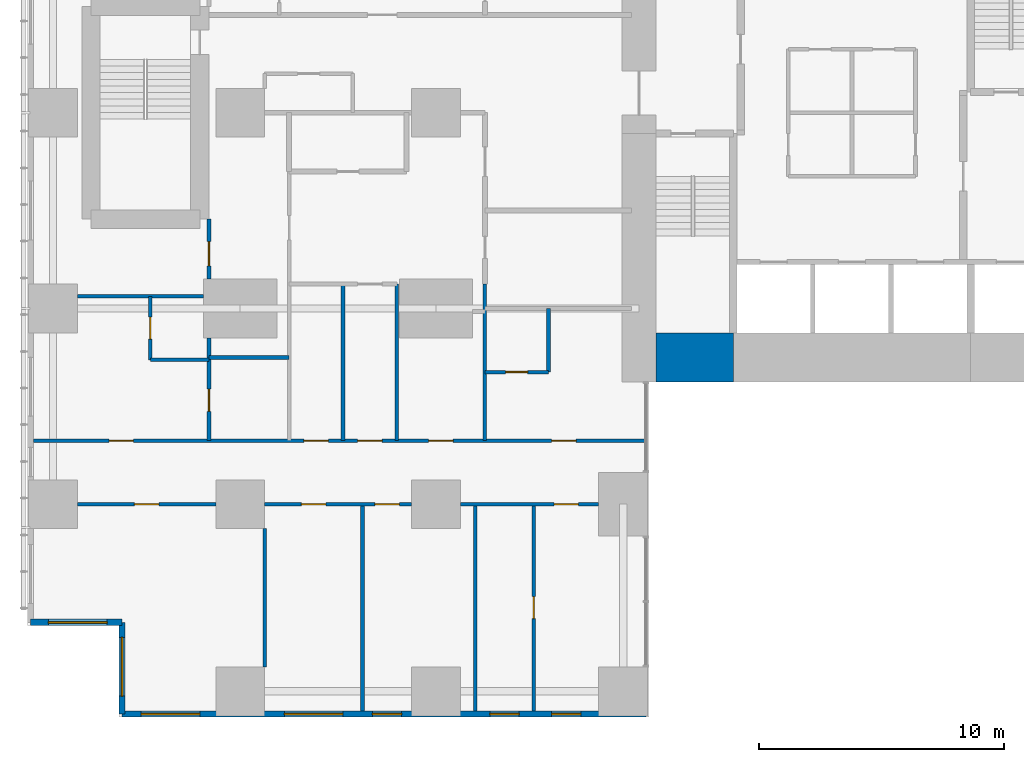
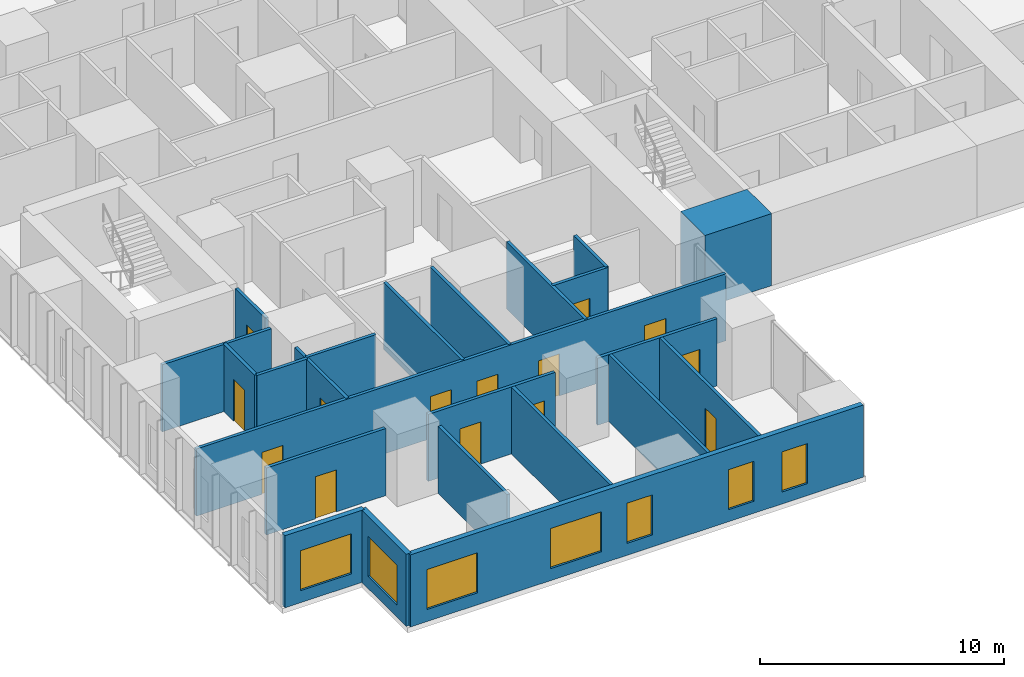
# One storey, part 12 of 20: 23 walls, 14 doors, 7 windows, 21 openings.
"""IFC4 building model written with IfcOpenShell, lengths in metres."""

from ifc_helpers import new_model, si_unit, direction, frame, frame_2d, origin, place, context, subcontext, project, spatial, rectangle, extrude, material, layer, layer_set, type_object, element, fill, save


model = new_model("IFC4")

# Units and contexts
model_context = context("Model", 3, precision=1e-05, world=origin(), true_north=direction((0.0, 1.0)))
body_context = subcontext(model_context, "Body", "Model", "MODEL_VIEW")
ifc_project = project(units=[si_unit("LENGTHUNIT", "METRE"), si_unit("AREAUNIT", "SQUARE_METRE"), si_unit("VOLUMEUNIT", "CUBIC_METRE"), si_unit("PLANEANGLEUNIT", "RADIAN"), si_unit("MASSUNIT", "GRAM", prefix="KILO")], contexts=[model_context])

# Site, building, storey
site_placement = place(None, origin())
site = spatial("IfcSite", under=ifc_project, at=site_placement, CompositionType="ELEMENT")
building_placement = place(site_placement, origin())
building = spatial("IfcBuilding", under=site, at=building_placement, Name="Cleftline Residences", CompositionType="ELEMENT")
storey_placement = place(building_placement, frame((0.0, 0.0, 51.199951171875)))
storey = spatial("IfcBuildingStorey", under=building, at=storey_placement, Name="L12", CompositionType="ELEMENT", Elevation=51.199951171875)

# Wall
ifc_material_1 = material(Name="Concrete B70", Category="concrete")
ifc_layer_1 = layer(ifc_material_1, 2.0)
ifc_layer_set_1 = layer_set([ifc_layer_1], Name="CORE WALL 2000")
wall_type_1 = type_object("IfcWallType", Name="CORE WALL 2000", PredefinedType="SHEAR", material=ifc_layer_set_1)
wall_1_placement = place(storey_placement, frame((25.0, 14.0, 0.0), z_axis=(0.0, 0.0, 1.0), x_axis=(1.0, 0.0, 0.0)))
element("IfcWall", 1, at=wall_1_placement, inside=storey, type_object=wall_type_1, Name="Core wall S1", PredefinedType="SHEAR", context=body_context, shape_type="SweptSolid", body=[
    extrude(rectangle(XDim=3.14990234375, YDim=2.0, at=frame_2d((1.574951171875, 0.0))), origin(), (0.0, 0.0, 1.0), 3.60009765625),
])

# Wall, opening, window
ifc_material_2 = material(Name="Rendered reinforced concrete blockwork", Category="masonry")
ifc_layer_2 = layer(ifc_material_2, 0.25)
ifc_layer_set_2 = layer_set([ifc_layer_2], Name="EXTERNAL WALL 250")
wall_type_2 = type_object("IfcWallType", Name="EXTERNAL WALL 250", PredefinedType="SOLIDWALL", material=ifc_layer_set_2)
wall_2_placement = place(storey_placement, frame((-0.574951171875, 3.175048828125, 0.0), z_axis=(0.0, 0.0, 1.0), x_axis=(1.0, 0.0, 0.0)))
wall_2 = element("IfcWall", 2, at=wall_2_placement, inside=storey, type_object=wall_type_2, Name="External wall", PredefinedType="SOLIDWALL", context=body_context, shape_type="SweptSolid", body=[
    extrude(rectangle(XDim=3.75, YDim=0.25, at=frame_2d((1.875, 0.0))), origin(), (0.0, 0.0, 1.0), 3.60009765625),
])
opening_1_placement = place(wall_2_placement, frame((0.737548828125, 0.0, 0.60009765625)))
opening_1 = element("IfcOpeningElement", 3, at=opening_1_placement, cuts=wall_2, Name="Opening W6", PredefinedType="OPENING", context=body_context, shape_type="SweptSolid", body=[
    extrude(rectangle(XDim=2.39990234375, YDim=2.0, at=frame_2d((1.199951171875, 1.0))), frame((0.0, 0.135009765625, 0.0), z_axis=(0.0, -1.0, 0.0), x_axis=(1.0, 0.0, 0.0)), (0.0, 0.0, 1.0), 0.27001953125),
])
ifc_material_3 = material(Name="Aluminium frame, clear double glazing", Category="aluminium")
window_type_1 = type_object("IfcWindowType", Name="WINDOW 2400X2000", PartitioningType="DOUBLE_PANEL_VERTICAL", PredefinedType="WINDOW", material=ifc_material_3)
window_1_placement = place(opening_1_placement, origin())
window_1 = element("IfcWindow", 4, at=window_1_placement, inside=storey, type_object=window_type_1, Name="Window", OverallHeight=2.0, OverallWidth=2.39990234375, PartitioningType="SINGLE_PANEL", PredefinedType="WINDOW", context=body_context, shape_type="SweptSolid", body=[
    extrude(rectangle(XDim=2.39990234375, YDim=2.0, at=frame_2d((1.199951171875, 1.0))), frame((0.0, 0.030029296875, 0.0), z_axis=(0.0, -1.0, 0.0), x_axis=(1.0, 0.0, 0.0)), (0.0, 0.0, 1.0), 0.06005859375),
])
fill(opening_1, window_1)

wall_3_placement = place(storey_placement, frame((3.175048828125, 3.175048828125, 0.0), z_axis=(0.0, 0.0, 1.0), x_axis=(0.0, -1.0, 0.0)))
wall_3 = element("IfcWall", 5, at=wall_3_placement, inside=storey, type_object=wall_type_2, Name="External wall", PredefinedType="SOLIDWALL", context=body_context, shape_type="SweptSolid", body=[
    extrude(rectangle(XDim=3.75, YDim=0.25, at=frame_2d((1.875, 0.0))), origin(), (0.0, 0.0, 1.0), 3.60009765625),
])
opening_2_placement = place(wall_3_placement, frame((0.612548828125, 0.0, 0.60009765625)))
opening_2 = element("IfcOpeningElement", 6, at=opening_2_placement, cuts=wall_3, Name="Opening W6", PredefinedType="OPENING", context=body_context, shape_type="SweptSolid", body=[
    extrude(rectangle(XDim=2.39990234375, YDim=2.0, at=frame_2d((1.199951171875, 1.0))), frame((0.0, 0.135009765625, 0.0), z_axis=(0.0, -1.0, 0.0), x_axis=(1.0, 0.0, 0.0)), (0.0, 0.0, 1.0), 0.27001953125),
])
window_2_placement = place(opening_2_placement, origin())
window_2 = element("IfcWindow", 7, at=window_2_placement, inside=storey, type_object=window_type_1, Name="Window", OverallHeight=2.0, OverallWidth=2.39990234375, PartitioningType="SINGLE_PANEL", PredefinedType="WINDOW", context=body_context, shape_type="SweptSolid", body=[
    extrude(rectangle(XDim=2.39990234375, YDim=2.0, at=frame_2d((1.199951171875, 1.0))), frame((0.0, 0.030029296875, 0.0), z_axis=(0.0, -1.0, 0.0), x_axis=(1.0, 0.0, 0.0)), (0.0, 0.0, 1.0), 0.06005859375),
])
fill(opening_2, window_2)

# Wall, openings, windows
wall_4_placement = place(storey_placement, frame((3.175048828125, -0.574951171875, 0.0), z_axis=(0.0, 0.0, 1.0), x_axis=(1.0, 0.0, 0.0)))
wall_4 = element("IfcWall", 8, at=wall_4_placement, inside=storey, type_object=wall_type_2, Name="External wall", PredefinedType="SOLIDWALL", context=body_context, shape_type="SweptSolid", body=[
    extrude(rectangle(XDim=21.39990234375, YDim=0.25, at=frame_2d((10.699951171875, 0.0))), origin(), (0.0, 0.0, 1.0), 3.60009765625),
])
opening_3_placement = place(wall_4_placement, frame((0.77490234375, 0.0, 0.60009765625)))
opening_3 = element("IfcOpeningElement", 9, at=opening_3_placement, cuts=wall_4, Name="Opening W6", PredefinedType="OPENING", context=body_context, shape_type="SweptSolid", body=[
    extrude(rectangle(XDim=2.39990234375, YDim=2.0, at=frame_2d((1.199951171875, 1.0))), frame((0.0, 0.135009765625, 0.0), z_axis=(0.0, -1.0, 0.0), x_axis=(1.0, 0.0, 0.0)), (0.0, 0.0, 1.0), 0.27001953125),
])
opening_4_placement = place(wall_4_placement, frame((6.625, 0.0, 0.60009765625)))
opening_4 = element("IfcOpeningElement", 10, at=opening_4_placement, cuts=wall_4, Name="Opening W6", PredefinedType="OPENING", context=body_context, shape_type="SweptSolid", body=[
    extrude(rectangle(XDim=2.39990234375, YDim=2.0, at=frame_2d((1.199951171875, 1.0))), frame((0.0, 0.135009765625, 0.0), z_axis=(0.0, -1.0, 0.0), x_axis=(1.0, 0.0, 0.0)), (0.0, 0.0, 1.0), 0.27001953125),
])
opening_5_placement = place(wall_4_placement, frame((10.22509765625, 0.0, 0.60009765625)))
opening_5 = element("IfcOpeningElement", 11, at=opening_5_placement, cuts=wall_4, Name="Opening W8", PredefinedType="OPENING", context=body_context, shape_type="SweptSolid", body=[
    extrude(rectangle(XDim=1.199951171875, YDim=2.0, at=frame_2d((0.60009765625, 1.0))), frame((0.0, 0.135009765625, 0.0), z_axis=(0.0, -1.0, 0.0), x_axis=(1.0, 0.0, 0.0)), (0.0, 0.0, 1.0), 0.27001953125),
])
opening_6_placement = place(wall_4_placement, frame((15.02490234375, 0.0, 0.60009765625)))
opening_6 = element("IfcOpeningElement", 12, at=opening_6_placement, cuts=wall_4, Name="Opening W8", PredefinedType="OPENING", context=body_context, shape_type="SweptSolid", body=[
    extrude(rectangle(XDim=1.199951171875, YDim=2.0, at=frame_2d((0.60009765625, 1.0))), frame((0.0, 0.135009765625, 0.0), z_axis=(0.0, -1.0, 0.0), x_axis=(1.0, 0.0, 0.0)), (0.0, 0.0, 1.0), 0.27001953125),
])
opening_7_placement = place(wall_4_placement, frame((17.550048828125, 0.0, 0.60009765625)))
opening_7 = element("IfcOpeningElement", 13, at=opening_7_placement, cuts=wall_4, Name="Opening W8", PredefinedType="OPENING", context=body_context, shape_type="SweptSolid", body=[
    extrude(rectangle(XDim=1.199951171875, YDim=2.0, at=frame_2d((0.60009765625, 1.0))), frame((0.0, 0.135009765625, 0.0), z_axis=(0.0, -1.0, 0.0), x_axis=(1.0, 0.0, 0.0)), (0.0, 0.0, 1.0), 0.27001953125),
])
ifc_material_4 = material(Name="Aluminium frame, clear double glazing", Category="aluminium")
window_type_2 = type_object("IfcWindowType", Name="WINDOW 1200X2000", PartitioningType="DOUBLE_PANEL_VERTICAL", PredefinedType="WINDOW", material=ifc_material_4)
window_3_placement = place(opening_5_placement, origin())
window_3 = element("IfcWindow", 14, at=window_3_placement, inside=storey, type_object=window_type_2, Name="Window", OverallHeight=2.0, OverallWidth=1.199951171875, PartitioningType="SINGLE_PANEL", PredefinedType="WINDOW", context=body_context, shape_type="SweptSolid", body=[
    extrude(rectangle(XDim=1.199951171875, YDim=2.0, at=frame_2d((0.60009765625, 1.0))), frame((0.0, 0.030029296875, 0.0), z_axis=(0.0, -1.0, 0.0), x_axis=(1.0, 0.0, 0.0)), (0.0, 0.0, 1.0), 0.06005859375),
])
fill(opening_5, window_3)
window_4_placement = place(opening_6_placement, origin())
window_4 = element("IfcWindow", 15, at=window_4_placement, inside=storey, type_object=window_type_2, Name="Window", OverallHeight=2.0, OverallWidth=1.199951171875, PartitioningType="SINGLE_PANEL", PredefinedType="WINDOW", context=body_context, shape_type="SweptSolid", body=[
    extrude(rectangle(XDim=1.199951171875, YDim=2.0, at=frame_2d((0.60009765625, 1.0))), frame((0.0, 0.030029296875, 0.0), z_axis=(0.0, -1.0, 0.0), x_axis=(1.0, 0.0, 0.0)), (0.0, 0.0, 1.0), 0.06005859375),
])
fill(opening_6, window_4)
window_5_placement = place(opening_7_placement, origin())
window_5 = element("IfcWindow", 16, at=window_5_placement, inside=storey, type_object=window_type_2, Name="Window", OverallHeight=2.0, OverallWidth=1.199951171875, PartitioningType="SINGLE_PANEL", PredefinedType="WINDOW", context=body_context, shape_type="SweptSolid", body=[
    extrude(rectangle(XDim=1.199951171875, YDim=2.0, at=frame_2d((0.60009765625, 1.0))), frame((0.0, 0.030029296875, 0.0), z_axis=(0.0, -1.0, 0.0), x_axis=(1.0, 0.0, 0.0)), (0.0, 0.0, 1.0), 0.06005859375),
])
fill(opening_7, window_5)
window_6_placement = place(opening_3_placement, origin())
window_6 = element("IfcWindow", 17, at=window_6_placement, inside=storey, type_object=window_type_1, Name="Window", OverallHeight=2.0, OverallWidth=2.39990234375, PartitioningType="SINGLE_PANEL", PredefinedType="WINDOW", context=body_context, shape_type="SweptSolid", body=[
    extrude(rectangle(XDim=2.39990234375, YDim=2.0, at=frame_2d((1.199951171875, 1.0))), frame((0.0, 0.030029296875, 0.0), z_axis=(0.0, -1.0, 0.0), x_axis=(1.0, 0.0, 0.0)), (0.0, 0.0, 1.0), 0.06005859375),
])
fill(opening_3, window_6)
window_7_placement = place(opening_4_placement, origin())
window_7 = element("IfcWindow", 18, at=window_7_placement, inside=storey, type_object=window_type_1, Name="Window", OverallHeight=2.0, OverallWidth=2.39990234375, PartitioningType="SINGLE_PANEL", PredefinedType="WINDOW", context=body_context, shape_type="SweptSolid", body=[
    extrude(rectangle(XDim=2.39990234375, YDim=2.0, at=frame_2d((1.199951171875, 1.0))), frame((0.0, 0.030029296875, 0.0), z_axis=(0.0, -1.0, 0.0), x_axis=(1.0, 0.0, 0.0)), (0.0, 0.0, 1.0), 0.06005859375),
])
fill(opening_4, window_7)

# Wall, opening, door
ifc_material_5 = material(Name="Gypsum board on steel studs", Category="steel")
ifc_layer_3 = layer(ifc_material_5, 0.14990234375)
ifc_layer_set_3 = layer_set([ifc_layer_3], Name="PARTITION 150")
wall_type_3 = type_object("IfcWallType", Name="PARTITION 150", PredefinedType="PARTITIONING", material=ifc_layer_set_3)
wall_5_placement = place(storey_placement, frame((1.35009765625, 8.0, 0.0), z_axis=(0.0, 0.0, 1.0), x_axis=(1.0, 0.0, 0.0)))
wall_5 = element("IfcWall", 19, at=wall_5_placement, inside=storey, type_object=wall_type_3, Name="Partition", PredefinedType="PARTITIONING", context=body_context, shape_type="SweptSolid", body=[
    extrude(rectangle(XDim=5.64990234375, YDim=0.14990234375, at=frame_2d((2.824951171875, 0.0))), origin(), (0.0, 0.0, 1.0), 3.35009765625),
])
opening_8_placement = place(wall_5_placement, frame((2.324951171875, 0.0, 0.0)))
opening_8 = element("IfcOpeningElement", 20, at=opening_8_placement, cuts=wall_5, Name="Opening D2", PredefinedType="OPENING", context=body_context, shape_type="SweptSolid", body=[
    extrude(rectangle(XDim=1.0, YDim=2.10009765625, at=frame_2d((0.5, 1.050048828125))), frame((0.0, 0.0849609375, 0.0), z_axis=(0.0, -1.0, 0.0), x_axis=(1.0, 0.0, 0.0)), (0.0, 0.0, 1.0), 0.169921875),
])
ifc_material_6 = material(Name="Timber veneer on solid core", Category="wood")
door_type_1 = type_object("IfcDoorType", Name="DOOR 1000X2100", OperationType="SINGLE_SWING_LEFT", PredefinedType="DOOR", material=ifc_material_6)
door_1_placement = place(opening_8_placement, origin())
door_1 = element("IfcDoor", 21, at=door_1_placement, inside=storey, type_object=door_type_1, Name="Door to living room", OperationType="SINGLE_SWING_LEFT", OverallHeight=2.10009765625, OverallWidth=1.0, PredefinedType="DOOR", context=body_context, shape_type="SweptSolid", body=[
    extrude(rectangle(XDim=1.0, YDim=2.10009765625, at=frame_2d((0.5, 1.050048828125))), frame((0.0, 0.02490234375, 0.0), z_axis=(0.0, -1.0, 0.0), x_axis=(1.0, 0.0, 0.0)), (0.0, 0.0, 1.0), 0.050048828125),
])
fill(opening_8, door_1)

# Wall, openings, doors
wall_6_placement = place(storey_placement, frame((9.0, 8.0, 0.0), z_axis=(0.0, 0.0, 1.0), x_axis=(1.0, 0.0, 0.0)))
wall_6 = element("IfcWall", 22, at=wall_6_placement, inside=storey, type_object=wall_type_3, Name="Partition", PredefinedType="PARTITIONING", context=body_context, shape_type="SweptSolid", body=[
    extrude(rectangle(XDim=6.0, YDim=0.14990234375, at=frame_2d((3.0, 0.0))), origin(), (0.0, 0.0, 1.0), 3.35009765625),
])
opening_9_placement = place(wall_6_placement, frame((1.5, 0.0, 0.0)))
opening_9 = element("IfcOpeningElement", 23, at=opening_9_placement, cuts=wall_6, Name="Opening D2", PredefinedType="OPENING", context=body_context, shape_type="SweptSolid", body=[
    extrude(rectangle(XDim=1.0, YDim=2.10009765625, at=frame_2d((0.5, 1.050048828125))), frame((0.0, 0.0849609375, 0.0), z_axis=(0.0, -1.0, 0.0), x_axis=(1.0, 0.0, 0.0)), (0.0, 0.0, 1.0), 0.169921875),
])
opening_10_placement = place(wall_6_placement, frame((4.5, 0.0, 0.0)))
opening_10 = element("IfcOpeningElement", 24, at=opening_10_placement, cuts=wall_6, Name="Opening D2", PredefinedType="OPENING", context=body_context, shape_type="SweptSolid", body=[
    extrude(rectangle(XDim=1.0, YDim=2.10009765625, at=frame_2d((0.5, 1.050048828125))), frame((0.0, 0.0849609375, 0.0), z_axis=(0.0, -1.0, 0.0), x_axis=(1.0, 0.0, 0.0)), (0.0, 0.0, 1.0), 0.169921875),
])
door_2_placement = place(opening_9_placement, origin())
door_2 = element("IfcDoor", 25, at=door_2_placement, inside=storey, type_object=door_type_1, Name="Door to dining room", OperationType="SINGLE_SWING_RIGHT", OverallHeight=2.10009765625, OverallWidth=1.0, PredefinedType="DOOR", context=body_context, shape_type="SweptSolid", body=[
    extrude(rectangle(XDim=1.0, YDim=2.10009765625, at=frame_2d((0.5, 1.050048828125))), frame((0.0, 0.02490234375, 0.0), z_axis=(0.0, -1.0, 0.0), x_axis=(1.0, 0.0, 0.0)), (0.0, 0.0, 1.0), 0.050048828125),
])
fill(opening_9, door_2)
door_3_placement = place(opening_10_placement, origin())
door_3 = element("IfcDoor", 26, at=door_3_placement, inside=storey, type_object=door_type_1, Name="Door to show kitchen", OperationType="SINGLE_SWING_LEFT", OverallHeight=2.10009765625, OverallWidth=1.0, PredefinedType="DOOR", context=body_context, shape_type="SweptSolid", body=[
    extrude(rectangle(XDim=1.0, YDim=2.10009765625, at=frame_2d((0.5, 1.050048828125))), frame((0.0, 0.02490234375, 0.0), z_axis=(0.0, -1.0, 0.0), x_axis=(1.0, 0.0, 0.0)), (0.0, 0.0, 1.0), 0.050048828125),
])
fill(opening_10, door_3)

# Wall, opening, door
wall_7_placement = place(storey_placement, frame((17.0, 8.0, 0.0), z_axis=(0.0, 0.0, 1.0), x_axis=(1.0, 0.0, 0.0)))
wall_7 = element("IfcWall", 27, at=wall_7_placement, inside=storey, type_object=wall_type_3, Name="Partition", PredefinedType="PARTITIONING", context=body_context, shape_type="SweptSolid", body=[
    extrude(rectangle(XDim=5.64990234375, YDim=0.14990234375, at=frame_2d((2.824951171875, 0.0))), origin(), (0.0, 0.0, 1.0), 3.35009765625),
])
opening_11_placement = place(wall_7_placement, frame((3.824951171875, 0.0, 0.0)))
opening_11 = element("IfcOpeningElement", 28, at=opening_11_placement, cuts=wall_7, Name="Opening D2", PredefinedType="OPENING", context=body_context, shape_type="SweptSolid", body=[
    extrude(rectangle(XDim=1.0, YDim=2.10009765625, at=frame_2d((0.5, 1.050048828125))), frame((0.0, 0.0849609375, 0.0), z_axis=(0.0, -1.0, 0.0), x_axis=(1.0, 0.0, 0.0)), (0.0, 0.0, 1.0), 0.169921875),
])
door_4_placement = place(opening_11_placement, origin())
door_4 = element("IfcDoor", 29, at=door_4_placement, inside=storey, type_object=door_type_1, Name="Door to bedroom 2", OperationType="SINGLE_SWING_LEFT", OverallHeight=2.10009765625, OverallWidth=1.0, PredefinedType="DOOR", context=body_context, shape_type="SweptSolid", body=[
    extrude(rectangle(XDim=1.0, YDim=2.10009765625, at=frame_2d((0.5, 1.050048828125))), frame((0.0, 0.02490234375, 0.0), z_axis=(0.0, -1.0, 0.0), x_axis=(1.0, 0.0, 0.0)), (0.0, 0.0, 1.0), 0.050048828125),
])
fill(opening_11, door_4)

# Wall, openings, doors
wall_8_placement = place(storey_placement, frame((-0.449951171875, 10.60009765625, 0.0), z_axis=(0.0, 0.0, 1.0), x_axis=(1.0, 0.0, 0.0)))
wall_8 = element("IfcWall", 30, at=wall_8_placement, inside=storey, type_object=wall_type_3, Name="Partition", PredefinedType="PARTITIONING", context=body_context, shape_type="SweptSolid", body=[
    extrude(rectangle(XDim=25.010986328125, YDim=0.14990234375, at=frame_2d((12.50537109375, 0.0))), origin(), (0.0, 0.0, 1.0), 3.35009765625),
])
opening_12_placement = place(wall_8_placement, frame((13.25, 0.0, 0.0)))
opening_12 = element("IfcOpeningElement", 31, at=opening_12_placement, cuts=wall_8, Name="Opening D2", PredefinedType="OPENING", context=body_context, shape_type="SweptSolid", body=[
    extrude(rectangle(XDim=1.0, YDim=2.10009765625, at=frame_2d((0.5, 1.050048828125))), frame((0.0, 0.0849609375, 0.0), z_axis=(0.0, -1.0, 0.0), x_axis=(1.0, 0.0, 0.0)), (0.0, 0.0, 1.0), 0.169921875),
])
opening_13_placement = place(wall_8_placement, frame((3.08740234375, 0.0, 0.0)))
opening_13 = element("IfcOpeningElement", 32, at=opening_13_placement, cuts=wall_8, Name="Opening D2", PredefinedType="OPENING", context=body_context, shape_type="SweptSolid", body=[
    extrude(rectangle(XDim=1.0, YDim=2.10009765625, at=frame_2d((0.5, 1.050048828125))), frame((0.0, 0.0849609375, 0.0), z_axis=(0.0, -1.0, 0.0), x_axis=(1.0, 0.0, 0.0)), (0.0, 0.0, 1.0), 0.169921875),
])
opening_14_placement = place(wall_8_placement, frame((11.050048828125, 0.0, 0.0)))
opening_14 = element("IfcOpeningElement", 33, at=opening_14_placement, cuts=wall_8, Name="Opening D2", PredefinedType="OPENING", context=body_context, shape_type="SweptSolid", body=[
    extrude(rectangle(XDim=1.0, YDim=2.10009765625, at=frame_2d((0.5, 1.050048828125))), frame((0.0, 0.0849609375, 0.0), z_axis=(0.0, -1.0, 0.0), x_axis=(1.0, 0.0, 0.0)), (0.0, 0.0, 1.0), 0.169921875),
])
opening_15_placement = place(wall_8_placement, frame((16.14990234375, 0.0, 0.0)))
opening_15 = element("IfcOpeningElement", 34, at=opening_15_placement, cuts=wall_8, Name="Opening D2", PredefinedType="OPENING", context=body_context, shape_type="SweptSolid", body=[
    extrude(rectangle(XDim=1.0, YDim=2.10009765625, at=frame_2d((0.5, 1.050048828125))), frame((0.0, 0.0849609375, 0.0), z_axis=(0.0, -1.0, 0.0), x_axis=(1.0, 0.0, 0.0)), (0.0, 0.0, 1.0), 0.169921875),
])
opening_16_placement = place(wall_8_placement, frame((21.175048828125, 0.0, 0.0)))
opening_16 = element("IfcOpeningElement", 35, at=opening_16_placement, cuts=wall_8, Name="Opening D2", PredefinedType="OPENING", context=body_context, shape_type="SweptSolid", body=[
    extrude(rectangle(XDim=1.0, YDim=2.10009765625, at=frame_2d((0.5, 1.050048828125))), frame((0.0, 0.0849609375, 0.0), z_axis=(0.0, -1.0, 0.0), x_axis=(1.0, 0.0, 0.0)), (0.0, 0.0, 1.0), 0.169921875),
])
door_5_placement = place(opening_12_placement, origin())
door_5 = element("IfcDoor", 36, at=door_5_placement, inside=storey, type_object=door_type_1, Name="Door to residence hall", OperationType="SINGLE_SWING_LEFT", OverallHeight=2.10009765625, OverallWidth=1.0, PredefinedType="DOOR", context=body_context, shape_type="SweptSolid", body=[
    extrude(rectangle(XDim=1.0, YDim=2.10009765625, at=frame_2d((0.5, 1.050048828125))), frame((0.0, 0.02490234375, 0.0), z_axis=(0.0, -1.0, 0.0), x_axis=(1.0, 0.0, 0.0)), (0.0, 0.0, 1.0), 0.050048828125),
])
fill(opening_12, door_5)
door_6_placement = place(opening_13_placement, origin())
door_6 = element("IfcDoor", 37, at=door_6_placement, inside=storey, type_object=door_type_1, Name="Door to master bedroom", OperationType="SINGLE_SWING_RIGHT", OverallHeight=2.10009765625, OverallWidth=1.0, PredefinedType="DOOR", context=body_context, shape_type="SweptSolid", body=[
    extrude(rectangle(XDim=1.0, YDim=2.10009765625, at=frame_2d((0.5, 1.050048828125))), frame((0.0, 0.02490234375, 0.0), z_axis=(0.0, -1.0, 0.0), x_axis=(1.0, 0.0, 0.0)), (0.0, 0.0, 1.0), 0.050048828125),
])
fill(opening_13, door_6)
door_7_placement = place(opening_14_placement, origin())
door_7 = element("IfcDoor", 38, at=door_7_placement, inside=storey, type_object=door_type_1, Name="Door to wet kitchen", OperationType="SINGLE_SWING_RIGHT", OverallHeight=2.10009765625, OverallWidth=1.0, PredefinedType="DOOR", context=body_context, shape_type="SweptSolid", body=[
    extrude(rectangle(XDim=1.0, YDim=2.10009765625, at=frame_2d((0.5, 1.050048828125))), frame((0.0, 0.02490234375, 0.0), z_axis=(0.0, -1.0, 0.0), x_axis=(1.0, 0.0, 0.0)), (0.0, 0.0, 1.0), 0.050048828125),
])
fill(opening_14, door_7)
door_8_placement = place(opening_15_placement, origin())
door_8 = element("IfcDoor", 39, at=door_8_placement, inside=storey, type_object=door_type_1, Name="Door to family room", OperationType="SINGLE_SWING_LEFT", OverallHeight=2.10009765625, OverallWidth=1.0, PredefinedType="DOOR", context=body_context, shape_type="SweptSolid", body=[
    extrude(rectangle(XDim=1.0, YDim=2.10009765625, at=frame_2d((0.5, 1.050048828125))), frame((0.0, 0.02490234375, 0.0), z_axis=(0.0, -1.0, 0.0), x_axis=(1.0, 0.0, 0.0)), (0.0, 0.0, 1.0), 0.050048828125),
])
fill(opening_15, door_8)
door_9_placement = place(opening_16_placement, origin())
door_9 = element("IfcDoor", 40, at=door_9_placement, inside=storey, type_object=door_type_1, Name="Door to bedroom 3", OperationType="SINGLE_SWING_LEFT", OverallHeight=2.10009765625, OverallWidth=1.0, PredefinedType="DOOR", context=body_context, shape_type="SweptSolid", body=[
    extrude(rectangle(XDim=1.0, YDim=2.10009765625, at=frame_2d((0.5, 1.050048828125))), frame((0.0, 0.02490234375, 0.0), z_axis=(0.0, -1.0, 0.0), x_axis=(1.0, 0.0, 0.0)), (0.0, 0.0, 1.0), 0.050048828125),
])
fill(opening_16, door_9)

# Wall, opening, door
wall_9_placement = place(storey_placement, frame((18.0, 13.39990234375, 0.0), z_axis=(0.0, 0.0, 1.0), x_axis=(1.0, 0.0, 0.0)))
wall_9 = element("IfcWall", 41, at=wall_9_placement, inside=storey, type_object=wall_type_3, Name="Partition", PredefinedType="PARTITIONING", context=body_context, shape_type="SweptSolid", body=[
    extrude(rectangle(XDim=2.60009765625, YDim=0.14990234375, at=frame_2d((1.300048828125, 0.0))), origin(), (0.0, 0.0, 1.0), 3.35009765625),
])
opening_17_placement = place(wall_9_placement, frame((0.85009765625, 0.0, 0.0)))
opening_17 = element("IfcOpeningElement", 42, at=opening_17_placement, cuts=wall_9, Name="Opening D1", PredefinedType="OPENING", context=body_context, shape_type="SweptSolid", body=[
    extrude(rectangle(XDim=0.89990234375, YDim=2.10009765625, at=frame_2d((0.449951171875, 1.050048828125))), frame((0.0, 0.0849609375, 0.0), z_axis=(0.0, -1.0, 0.0), x_axis=(1.0, 0.0, 0.0)), (0.0, 0.0, 1.0), 0.169921875),
])
ifc_material_7 = material(Name="Timber veneer on solid core", Category="wood")
door_type_2 = type_object("IfcDoorType", Name="DOOR 900X2100", OperationType="SINGLE_SWING_LEFT", PredefinedType="DOOR", material=ifc_material_7)
door_10_placement = place(opening_17_placement, origin())
door_10 = element("IfcDoor", 43, at=door_10_placement, inside=storey, type_object=door_type_2, Name="Door to en-suite bathroom 3", OperationType="SINGLE_SWING_LEFT", OverallHeight=2.10009765625, OverallWidth=0.89990234375, PredefinedType="DOOR", context=body_context, shape_type="SweptSolid", body=[
    extrude(rectangle(XDim=0.89990234375, YDim=2.10009765625, at=frame_2d((0.449951171875, 1.050048828125))), frame((0.0, 0.02490234375, 0.0), z_axis=(0.0, -1.0, 0.0), x_axis=(1.0, 0.0, 0.0)), (0.0, 0.0, 1.0), 0.050048828125),
])
fill(opening_17, door_10)

# Walls
wall_10_placement = place(storey_placement, frame((4.324951171875, 13.89990234375, 0.0), z_axis=(0.0, 0.0, 1.0), x_axis=(1.0, 0.0, 0.0)))
element("IfcWall", 44, at=wall_10_placement, inside=storey, type_object=wall_type_3, Name="Partition", PredefinedType="PARTITIONING", context=body_context, shape_type="SweptSolid", body=[
    extrude(rectangle(XDim=2.400146484375, YDim=0.14990234375, at=frame_2d((1.2001953125, 0.0))), origin(), (0.0, 0.0, 1.0), 3.35009765625),
])
wall_11_placement = place(storey_placement, frame((6.72509765625, 14.0, 0.0), z_axis=(0.0, 0.0, 1.0), x_axis=(1.0, 0.0, 0.0)))
element("IfcWall", 45, at=wall_11_placement, inside=storey, type_object=wall_type_3, Name="Partition", PredefinedType="PARTITIONING", context=body_context, shape_type="SweptSolid", body=[
    extrude(rectangle(XDim=3.27490234375, YDim=0.14990234375, at=frame_2d((1.637451171875, 0.0))), origin(), (0.0, 0.0, 1.0), 3.35009765625),
])
wall_12_placement = place(storey_placement, frame((1.35009765625, 16.5, 0.0), z_axis=(0.0, 0.0, 1.0), x_axis=(1.0, 0.0, 0.0)))
element("IfcWall", 46, at=wall_12_placement, inside=storey, type_object=wall_type_3, Name="Partition", PredefinedType="PARTITIONING", context=body_context, shape_type="SweptSolid", body=[
    extrude(rectangle(XDim=5.14990234375, YDim=0.14990234375, at=frame_2d((2.574951171875, 0.0))), origin(), (0.0, 0.0, 1.0), 3.35009765625),
])

# Wall, opening, door
wall_13_placement = place(storey_placement, frame((4.324951171875, 13.89990234375, 0.0), z_axis=(0.0, 0.0, 1.0), x_axis=(0.0, 1.0, 0.0)))
wall_13 = element("IfcWall", 47, at=wall_13_placement, inside=storey, type_object=wall_type_3, Name="Partition", PredefinedType="PARTITIONING", context=body_context, shape_type="SweptSolid", body=[
    extrude(rectangle(XDim=2.60009765625, YDim=0.14990234375, at=frame_2d((1.300048828125, 0.0))), origin(), (0.0, 0.0, 1.0), 3.35009765625),
])
opening_18_placement = place(wall_13_placement, frame((0.85009765625, 0.0, 0.0)))
opening_18 = element("IfcOpeningElement", 48, at=opening_18_placement, cuts=wall_13, Name="Opening D1", PredefinedType="OPENING", context=body_context, shape_type="SweptSolid", body=[
    extrude(rectangle(XDim=0.89990234375, YDim=2.10009765625, at=frame_2d((0.449951171875, 1.050048828125))), frame((0.0, 0.0849609375, 0.0), z_axis=(0.0, -1.0, 0.0), x_axis=(1.0, 0.0, 0.0)), (0.0, 0.0, 1.0), 0.169921875),
])
door_11_placement = place(opening_18_placement, origin())
door_11 = element("IfcDoor", 49, at=door_11_placement, inside=storey, type_object=door_type_2, Name="Door to master bathroom", OperationType="SINGLE_SWING_LEFT", OverallHeight=2.10009765625, OverallWidth=0.89990234375, PredefinedType="DOOR", context=body_context, shape_type="SweptSolid", body=[
    extrude(rectangle(XDim=0.89990234375, YDim=2.10009765625, at=frame_2d((0.449951171875, 1.050048828125))), frame((0.0, 0.02490234375, 0.0), z_axis=(0.0, -1.0, 0.0), x_axis=(1.0, 0.0, 0.0)), (0.0, 0.0, 1.0), 0.050048828125),
])
fill(opening_18, door_11)

wall_14_placement = place(storey_placement, frame((6.72509765625, 10.60009765625, 0.0), z_axis=(0.0, 0.0, 1.0), x_axis=(0.0, 1.0, 0.0)))
wall_14 = element("IfcWall", 50, at=wall_14_placement, inside=storey, type_object=wall_type_3, Name="Partition", PredefinedType="PARTITIONING", context=body_context, shape_type="SweptSolid", body=[
    extrude(rectangle(XDim=4.199951171875, YDim=0.14990234375, at=frame_2d((2.10009765625, 0.0))), origin(), (0.0, 0.0, 1.0), 3.35009765625),
])
opening_19_placement = place(wall_14_placement, frame((1.199951171875, 0.0, 0.0)))
opening_19 = element("IfcOpeningElement", 51, at=opening_19_placement, cuts=wall_14, Name="Opening D1", PredefinedType="OPENING", context=body_context, shape_type="SweptSolid", body=[
    extrude(rectangle(XDim=0.89990234375, YDim=2.10009765625, at=frame_2d((0.449951171875, 1.050048828125))), frame((0.0, 0.0849609375, 0.0), z_axis=(0.0, -1.0, 0.0), x_axis=(1.0, 0.0, 0.0)), (0.0, 0.0, 1.0), 0.169921875),
])
door_12_placement = place(opening_19_placement, origin())
door_12 = element("IfcDoor", 52, at=door_12_placement, inside=storey, type_object=door_type_2, Name="Door to master dressing room", OperationType="SINGLE_SWING_RIGHT", OverallHeight=2.10009765625, OverallWidth=0.89990234375, PredefinedType="DOOR", context=body_context, shape_type="SweptSolid", body=[
    extrude(rectangle(XDim=0.89990234375, YDim=2.10009765625, at=frame_2d((0.449951171875, 1.050048828125))), frame((0.0, 0.02490234375, 0.0), z_axis=(0.0, -1.0, 0.0), x_axis=(1.0, 0.0, 0.0)), (0.0, 0.0, 1.0), 0.050048828125),
])
fill(opening_19, door_12)

wall_15_placement = place(storey_placement, frame((6.72509765625, 17.199951171875, 0.0), z_axis=(0.0, 0.0, 1.0), x_axis=(0.0, 1.0, 0.0)))
wall_15 = element("IfcWall", 53, at=wall_15_placement, inside=storey, type_object=wall_type_3, Name="Partition", PredefinedType="PARTITIONING", context=body_context, shape_type="SweptSolid", body=[
    extrude(rectangle(XDim=2.449951171875, YDim=0.14990234375, at=frame_2d((1.22509765625, 0.0))), origin(), (0.0, 0.0, 1.0), 3.35009765625),
])
opening_20_placement = place(wall_15_placement, frame((0.53759765625, 0.0, 0.0)))
opening_20 = element("IfcOpeningElement", 54, at=opening_20_placement, cuts=wall_15, Name="Opening D2", PredefinedType="OPENING", context=body_context, shape_type="SweptSolid", body=[
    extrude(rectangle(XDim=1.0, YDim=2.10009765625, at=frame_2d((0.5, 1.050048828125))), frame((0.0, 0.0849609375, 0.0), z_axis=(0.0, -1.0, 0.0), x_axis=(1.0, 0.0, 0.0)), (0.0, 0.0, 1.0), 0.169921875),
])
door_13_placement = place(opening_20_placement, origin())
door_13 = element("IfcDoor", 55, at=door_13_placement, inside=storey, type_object=door_type_1, Name="Door to winter garden", OperationType="SINGLE_SWING_RIGHT", OverallHeight=2.10009765625, OverallWidth=1.0, PredefinedType="DOOR", context=body_context, shape_type="SweptSolid", body=[
    extrude(rectangle(XDim=1.0, YDim=2.10009765625, at=frame_2d((0.5, 1.050048828125))), frame((0.0, 0.02490234375, 0.0), z_axis=(0.0, -1.0, 0.0), x_axis=(1.0, 0.0, 0.0)), (0.0, 0.0, 1.0), 0.050048828125),
])
fill(opening_20, door_13)

# Walls
wall_16_placement = place(storey_placement, frame((9.0, 1.35009765625, 0.0), z_axis=(0.0, 0.0, 1.0), x_axis=(0.0, 1.0, 0.0)))
element("IfcWall", 56, at=wall_16_placement, inside=storey, type_object=wall_type_3, Name="Partition", PredefinedType="PARTITIONING", context=body_context, shape_type="SweptSolid", body=[
    extrude(rectangle(XDim=5.64990234375, YDim=0.14990234375, at=frame_2d((2.824951171875, 0.0))), origin(), (0.0, 0.0, 1.0), 3.35009765625),
])
wall_17_placement = place(storey_placement, frame((12.199951171875, 10.60009765625, 0.0), z_axis=(0.0, 0.0, 1.0), x_axis=(0.0, 1.0, 0.0)))
element("IfcWall", 57, at=wall_17_placement, inside=storey, type_object=wall_type_3, Name="Partition", PredefinedType="PARTITIONING", context=body_context, shape_type="SweptSolid", body=[
    extrude(rectangle(XDim=6.39990234375, YDim=0.14990234375, at=frame_2d((3.199951171875, 0.0))), origin(), (0.0, 0.0, 1.0), 3.35009765625),
])
wall_18_placement = place(storey_placement, frame((13.0, -0.449951171875, 0.0), z_axis=(0.0, 0.0, 1.0), x_axis=(0.0, 1.0, 0.0)))
element("IfcWall", 58, at=wall_18_placement, inside=storey, type_object=wall_type_3, Name="Partition", PredefinedType="PARTITIONING", context=body_context, shape_type="SweptSolid", body=[
    extrude(rectangle(XDim=8.449951171875, YDim=0.14990234375, at=frame_2d((4.22509765625, 0.0))), origin(), (0.0, 0.0, 1.0), 3.35009765625),
])
wall_19_placement = place(storey_placement, frame((14.39990234375, 10.60009765625, 0.0), z_axis=(0.0, 0.0, 1.0), x_axis=(0.0, 1.0, 0.0)))
element("IfcWall", 59, at=wall_19_placement, inside=storey, type_object=wall_type_3, Name="Partition", PredefinedType="PARTITIONING", context=body_context, shape_type="SweptSolid", body=[
    extrude(rectangle(XDim=6.39990234375, YDim=0.14990234375, at=frame_2d((3.199951171875, 0.0))), origin(), (0.0, 0.0, 1.0), 3.35009765625),
])
wall_20_placement = place(storey_placement, frame((17.60009765625, -0.449951171875, 0.0), z_axis=(0.0, 0.0, 1.0), x_axis=(0.0, 1.0, 0.0)))
element("IfcWall", 60, at=wall_20_placement, inside=storey, type_object=wall_type_3, Name="Partition", PredefinedType="PARTITIONING", context=body_context, shape_type="SweptSolid", body=[
    extrude(rectangle(XDim=8.449951171875, YDim=0.14990234375, at=frame_2d((4.22509765625, 0.0))), origin(), (0.0, 0.0, 1.0), 3.35009765625),
])
wall_21_placement = place(storey_placement, frame((18.0, 10.60009765625, 0.0), z_axis=(0.0, 0.0, 1.0), x_axis=(0.0, 1.0, 0.0)))
element("IfcWall", 61, at=wall_21_placement, inside=storey, type_object=wall_type_3, Name="Partition", PredefinedType="PARTITIONING", context=body_context, shape_type="SweptSolid", body=[
    extrude(rectangle(XDim=6.39990234375, YDim=0.14990234375, at=frame_2d((3.199951171875, 0.0))), origin(), (0.0, 0.0, 1.0), 3.35009765625),
])

# Wall, opening, door
wall_22_placement = place(storey_placement, frame((20.0, -0.449951171875, 0.0), z_axis=(0.0, 0.0, 1.0), x_axis=(0.0, 1.0, 0.0)))
wall_22 = element("IfcWall", 62, at=wall_22_placement, inside=storey, type_object=wall_type_3, Name="Partition", PredefinedType="PARTITIONING", context=body_context, shape_type="SweptSolid", body=[
    extrude(rectangle(XDim=8.449951171875, YDim=0.14990234375, at=frame_2d((4.22509765625, 0.0))), origin(), (0.0, 0.0, 1.0), 3.35009765625),
])
opening_21_placement = place(wall_22_placement, frame((3.77490234375, 0.0, 0.0)))
opening_21 = element("IfcOpeningElement", 63, at=opening_21_placement, cuts=wall_22, Name="Opening D1", PredefinedType="OPENING", context=body_context, shape_type="SweptSolid", body=[
    extrude(rectangle(XDim=0.89990234375, YDim=2.10009765625, at=frame_2d((0.449951171875, 1.050048828125))), frame((0.0, 0.0849609375, 0.0), z_axis=(0.0, -1.0, 0.0), x_axis=(1.0, 0.0, 0.0)), (0.0, 0.0, 1.0), 0.169921875),
])
door_14_placement = place(opening_21_placement, origin())
door_14 = element("IfcDoor", 64, at=door_14_placement, inside=storey, type_object=door_type_2, Name="Door to en-suite bathroom 2", OperationType="SINGLE_SWING_LEFT", OverallHeight=2.10009765625, OverallWidth=0.89990234375, PredefinedType="DOOR", context=body_context, shape_type="SweptSolid", body=[
    extrude(rectangle(XDim=0.89990234375, YDim=2.10009765625, at=frame_2d((0.449951171875, 1.050048828125))), frame((0.0, 0.02490234375, 0.0), z_axis=(0.0, -1.0, 0.0), x_axis=(1.0, 0.0, 0.0)), (0.0, 0.0, 1.0), 0.050048828125),
])
fill(opening_21, door_14)

# Wall
wall_23_placement = place(storey_placement, frame((20.60009765625, 13.39990234375, 0.0), z_axis=(0.0, 0.0, 1.0), x_axis=(0.0, 1.0, 0.0)))
element("IfcWall", 65, at=wall_23_placement, inside=storey, type_object=wall_type_3, Name="Partition", PredefinedType="PARTITIONING", context=body_context, shape_type="SweptSolid", body=[
    extrude(rectangle(XDim=2.60009765625, YDim=0.14990234375, at=frame_2d((1.300048828125, 0.0))), origin(), (0.0, 0.0, 1.0), 3.35009765625),
])

save(model, "model.ifc")
